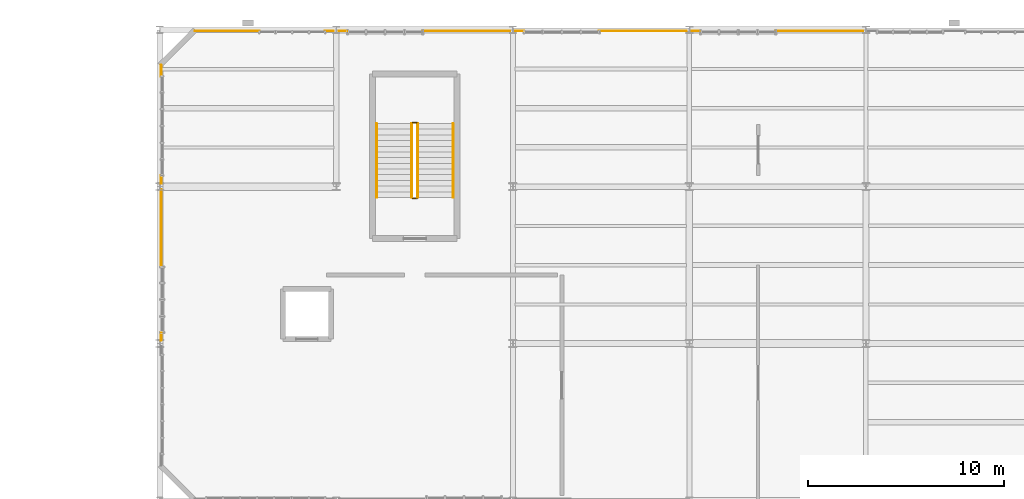
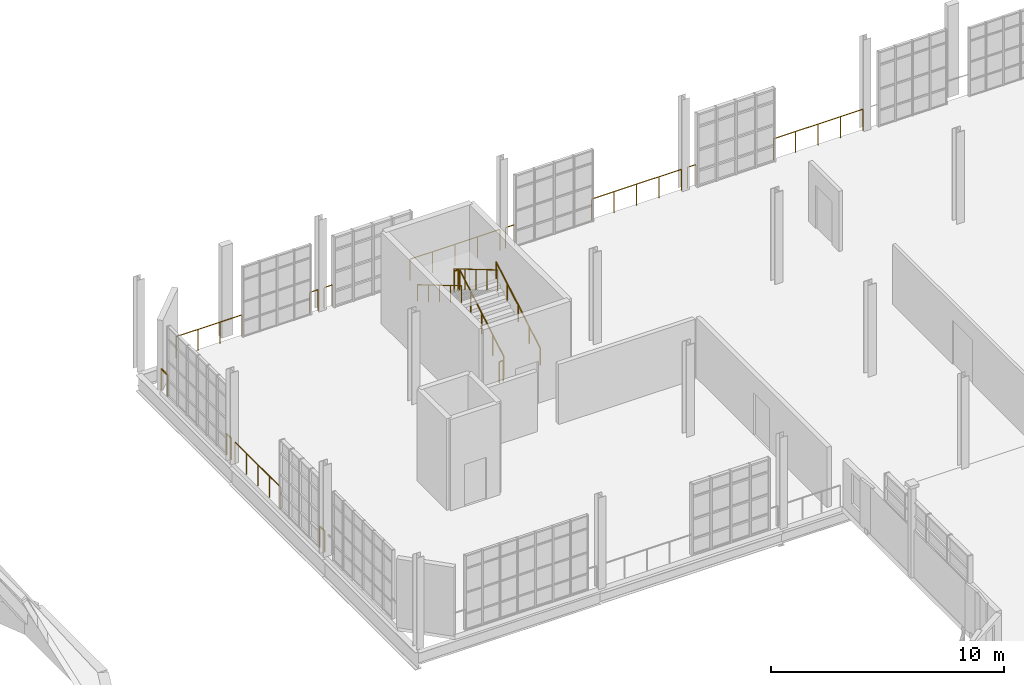
# One storey, part 117 of 118: 18 railings.
"""IFC4 building model written with IfcOpenShell, lengths in metres."""

from ifc_helpers import new_model, si_unit, direction, frame, origin, origin_2d, place, context, subcontext, project, spatial, circle, extrude, material, type_object, element, save


model = new_model("IFC4")

# Units and contexts
model_context = context("Model", 3, precision=1e-05, world=origin(), true_north=direction((0.0, 1.0)))
body_context = subcontext(model_context, "Body", "Model", "MODEL_VIEW")
ifc_project = project(units=[si_unit("LENGTHUNIT", "METRE"), si_unit("AREAUNIT", "SQUARE_METRE"), si_unit("VOLUMEUNIT", "CUBIC_METRE"), si_unit("PLANEANGLEUNIT", "RADIAN"), si_unit("MASSUNIT", "GRAM", prefix="KILO"), si_unit("THERMODYNAMICTEMPERATUREUNIT", "KELVIN"), si_unit("POWERUNIT", "WATT")], contexts=[model_context])

# Site, building, storey
site_placement = place(None, origin())
site = spatial("IfcSite", under=ifc_project, at=site_placement, CompositionType="ELEMENT")
building_placement = place(site_placement, origin())
building = spatial("IfcBuilding", under=site, at=building_placement, Name="Zelmaris Science Centre", CompositionType="ELEMENT")
storey_placement = place(building_placement, frame((0.0, 0.0, 15.60009765625)))
storey = spatial("IfcBuildingStorey", under=building, at=storey_placement, Name="L03", CompositionType="ELEMENT", Elevation=15.60009765625)

# Railings
ifc_material = material(Name="Architectural bronze alloy C28000")
railing_type_1 = type_object("IfcRailingType", Name="Balustrade GD-01 H1120", PredefinedType="BALUSTRADE", material=ifc_material)
railing_1_placement = place(storey_placement, frame((54.06005859375, 72.1630859375, 0.0)))
element("IfcRailing", 1, at=railing_1_placement, inside=storey, type_object=railing_type_1, Name="L03 Perimeter safety balustrade 219", PredefinedType="BALUSTRADE", context=body_context, shape_type="SweptSolid", body=[
    extrude(circle(Radius=0.02392578125, at=origin_2d()), frame((0.0, 0.0, 1.09619140625), z_axis=(0.0, 1.0, 0.0), x_axis=(-1.0, 0.0, 0.0)), (0.0, 0.0, 1.0), 0.406982421875),
    extrude(circle(Radius=0.02099609375, at=origin_2d()), origin(), (0.0, 0.0, 1.0), 1.072021484375),
    extrude(circle(Radius=0.02099609375, at=origin_2d()), frame((0.0, 0.406982421875, 0.0)), (0.0, 0.0, 1.0), 1.072021484375),
])
railing_2_placement = place(storey_placement, frame((54.06005859375, 75.909912109375, 0.0)))
element("IfcRailing", 2, at=railing_2_placement, inside=storey, type_object=railing_type_1, Name="L03 Perimeter safety balustrade 220", PredefinedType="BALUSTRADE", context=body_context, shape_type="SweptSolid", body=[
    extrude(circle(Radius=0.02392578125, at=origin_2d()), frame((0.0, 0.0, 1.09619140625), z_axis=(0.0, 1.0, 0.0), x_axis=(-1.0, 0.0, 0.0)), (0.0, 0.0, 1.0), 3.927001953125),
    extrude(circle(Radius=0.02099609375, at=origin_2d()), origin(), (0.0, 0.0, 1.0), 1.072021484375),
    extrude(circle(Radius=0.02099609375, at=origin_2d()), frame((0.0, 0.981689453125, 0.0)), (0.0, 0.0, 1.0), 1.072021484375),
    extrude(circle(Radius=0.02099609375, at=origin_2d()), frame((0.0, 1.96337890625, 0.0)), (0.0, 0.0, 1.0), 1.072021484375),
    extrude(circle(Radius=0.02099609375, at=origin_2d()), frame((0.0, 2.9453125, 0.0)), (0.0, 0.0, 1.0), 1.072021484375),
    extrude(circle(Radius=0.02099609375, at=origin_2d()), frame((0.0, 3.927001953125, 0.0)), (0.0, 0.0, 1.0), 1.072021484375),
])
railing_3_placement = place(storey_placement, frame((54.06005859375, 80.1630859375, 0.0)))
element("IfcRailing", 3, at=railing_3_placement, inside=storey, type_object=railing_type_1, Name="L03 Perimeter safety balustrade 221", PredefinedType="BALUSTRADE", context=body_context, shape_type="SweptSolid", body=[
    extrude(circle(Radius=0.02392578125, at=origin_2d()), frame((0.0, 0.0, 1.09619140625), z_axis=(0.0, 1.0, 0.0), x_axis=(-1.0, 0.0, 0.0)), (0.0, 0.0, 1.0), 0.406982421875),
    extrude(circle(Radius=0.02099609375, at=origin_2d()), origin(), (0.0, 0.0, 1.0), 1.072021484375),
    extrude(circle(Radius=0.02099609375, at=origin_2d()), frame((0.0, 0.406982421875, 0.0)), (0.0, 0.0, 1.0), 1.072021484375),
])
railing_4_placement = place(storey_placement, frame((54.06005859375, 85.6298828125, 0.0)))
element("IfcRailing", 4, at=railing_4_placement, inside=storey, type_object=railing_type_1, Name="L03 Perimeter safety balustrade 222", PredefinedType="BALUSTRADE", context=body_context, shape_type="SweptSolid", body=[
    extrude(circle(Radius=0.02392578125, at=origin_2d()), frame((0.0, 0.0, 1.09619140625), z_axis=(0.0, 1.0, 0.0), x_axis=(-1.0, 0.0, 0.0)), (0.0, 0.0, 1.0), 0.570068359375),
    extrude(circle(Radius=0.02099609375, at=origin_2d()), origin(), (0.0, 0.0, 1.0), 1.072021484375),
    extrude(circle(Radius=0.02099609375, at=origin_2d()), frame((0.0, 0.570068359375, 0.0)), (0.0, 0.0, 1.0), 1.072021484375),
])
railing_5_placement = place(storey_placement, frame((55.800048828125, 87.93994140625, 0.0)))
element("IfcRailing", 5, at=railing_5_placement, inside=storey, type_object=railing_type_1, Name="L03 Perimeter safety balustrade 223", PredefinedType="BALUSTRADE", context=body_context, shape_type="SweptSolid", body=[
    extrude(circle(Radius=0.02392578125, at=origin_2d()), frame((0.0, 0.0, 1.09619140625), z_axis=(1.0, 0.0, 0.0), x_axis=(0.0, 1.0, 0.0)), (0.0, 0.0, 1.0), 3.27001953125),
    extrude(circle(Radius=0.02099609375, at=origin_2d()), origin(), (0.0, 0.0, 1.0), 1.072021484375),
    extrude(circle(Radius=0.02099609375, at=origin_2d()), frame((1.090087890625, 0.0, 0.0)), (0.0, 0.0, 1.0), 1.072021484375),
    extrude(circle(Radius=0.02099609375, at=origin_2d()), frame((2.179931640625, 0.0, 0.0)), (0.0, 0.0, 1.0), 1.072021484375),
    extrude(circle(Radius=0.02099609375, at=origin_2d()), frame((3.27001953125, 0.0, 0.0)), (0.0, 0.0, 1.0), 1.072021484375),
])
for number, where, name in (
    (6, (62.429931640625, 87.93994140625, 0.0), "L03 Perimeter safety balustrade 224"),
    (7, (63.14794921875, 87.93994140625, 0.0), "L03 Perimeter safety balustrade 225"),
):
    element("IfcRailing", number, at=place(storey_placement, frame(where)), inside=storey, type_object=railing_type_1, Name=name, PredefinedType="BALUSTRADE", context=body_context, shape_type="SweptSolid", body=[
        extrude(circle(Radius=0.02392578125, at=origin_2d()), frame((0.0, 0.0, 1.09619140625), z_axis=(1.0, 0.0, 0.0), x_axis=(0.0, 1.0, 0.0)), (0.0, 0.0, 1.0), 0.422119140625),
        extrude(circle(Radius=0.02099609375, at=origin_2d()), origin(), (0.0, 0.0, 1.0), 1.072021484375),
        extrude(circle(Radius=0.02099609375, at=origin_2d()), frame((0.422119140625, 0.0, 0.0)), (0.0, 0.0, 1.0), 1.072021484375),
    ])
railing_6_placement = place(storey_placement, frame((67.409912109375, 87.93994140625, 0.0)))
element("IfcRailing", 8, at=railing_6_placement, inside=storey, type_object=railing_type_1, Name="L03 Perimeter safety balustrade 226", PredefinedType="BALUSTRADE", context=body_context, shape_type="SweptSolid", body=[
    extrude(circle(Radius=0.02392578125, at=origin_2d()), frame((0.0, 0.0, 1.09619140625), z_axis=(1.0, 0.0, 0.0), x_axis=(0.0, 1.0, 0.0)), (0.0, 0.0, 1.0), 4.442138671875),
    extrude(circle(Radius=0.02099609375, at=origin_2d()), origin(), (0.0, 0.0, 1.0), 1.072021484375),
    extrude(circle(Radius=0.02099609375, at=origin_2d()), frame((1.110595703125, 0.0, 0.0)), (0.0, 0.0, 1.0), 1.072021484375),
    extrude(circle(Radius=0.02099609375, at=origin_2d()), frame((2.22119140625, 0.0, 0.0)), (0.0, 0.0, 1.0), 1.072021484375),
    extrude(circle(Radius=0.02099609375, at=origin_2d()), frame((3.33154296875, 0.0, 0.0)), (0.0, 0.0, 1.0), 1.072021484375),
    extrude(circle(Radius=0.02099609375, at=origin_2d()), frame((4.442138671875, 0.0, 0.0)), (0.0, 0.0, 1.0), 1.072021484375),
])
railing_7_placement = place(storey_placement, frame((72.14794921875, 87.93994140625, 0.0)))
element("IfcRailing", 9, at=railing_7_placement, inside=storey, type_object=railing_type_1, Name="L03 Perimeter safety balustrade 227", PredefinedType="BALUSTRADE", context=body_context, shape_type="SweptSolid", body=[
    extrude(circle(Radius=0.02392578125, at=origin_2d()), frame((0.0, 0.0, 1.09619140625), z_axis=(1.0, 0.0, 0.0), x_axis=(0.0, 1.0, 0.0)), (0.0, 0.0, 1.0), 0.422119140625),
    extrude(circle(Radius=0.02099609375, at=origin_2d()), origin(), (0.0, 0.0, 1.0), 1.072021484375),
    extrude(circle(Radius=0.02099609375, at=origin_2d()), frame((0.422119140625, 0.0, 0.0)), (0.0, 0.0, 1.0), 1.072021484375),
])
railing_8_placement = place(storey_placement, frame((76.409912109375, 87.93994140625, 0.0)))
element("IfcRailing", 10, at=railing_8_placement, inside=storey, type_object=railing_type_1, Name="L03 Perimeter safety balustrade 228", PredefinedType="BALUSTRADE", context=body_context, shape_type="SweptSolid", body=[
    extrude(circle(Radius=0.02392578125, at=origin_2d()), frame((0.0, 0.0, 1.09619140625), z_axis=(1.0, 0.0, 0.0), x_axis=(0.0, 1.0, 0.0)), (0.0, 0.0, 1.0), 4.442138671875),
    extrude(circle(Radius=0.02099609375, at=origin_2d()), origin(), (0.0, 0.0, 1.0), 1.072021484375),
    extrude(circle(Radius=0.02099609375, at=origin_2d()), frame((1.110595703125, 0.0, 0.0)), (0.0, 0.0, 1.0), 1.072021484375),
    extrude(circle(Radius=0.02099609375, at=origin_2d()), frame((2.22119140625, 0.0, 0.0)), (0.0, 0.0, 1.0), 1.072021484375),
    extrude(circle(Radius=0.02099609375, at=origin_2d()), frame((3.33154296875, 0.0, 0.0)), (0.0, 0.0, 1.0), 1.072021484375),
    extrude(circle(Radius=0.02099609375, at=origin_2d()), frame((4.442138671875, 0.0, 0.0)), (0.0, 0.0, 1.0), 1.072021484375),
])
railing_9_placement = place(storey_placement, frame((81.14794921875, 87.93994140625, 0.0)))
element("IfcRailing", 11, at=railing_9_placement, inside=storey, type_object=railing_type_1, Name="L03 Perimeter safety balustrade 229", PredefinedType="BALUSTRADE", context=body_context, shape_type="SweptSolid", body=[
    extrude(circle(Radius=0.02392578125, at=origin_2d()), frame((0.0, 0.0, 1.09619140625), z_axis=(1.0, 0.0, 0.0), x_axis=(0.0, 1.0, 0.0)), (0.0, 0.0, 1.0), 0.422119140625),
    extrude(circle(Radius=0.02099609375, at=origin_2d()), origin(), (0.0, 0.0, 1.0), 1.072021484375),
    extrude(circle(Radius=0.02099609375, at=origin_2d()), frame((0.422119140625, 0.0, 0.0)), (0.0, 0.0, 1.0), 1.072021484375),
])
railing_10_placement = place(storey_placement, frame((85.409912109375, 87.93994140625, 0.0)))
element("IfcRailing", 12, at=railing_10_placement, inside=storey, type_object=railing_type_1, Name="L03 Perimeter safety balustrade 230", PredefinedType="BALUSTRADE", context=body_context, shape_type="SweptSolid", body=[
    extrude(circle(Radius=0.02392578125, at=origin_2d()), frame((0.0, 0.0, 1.09619140625), z_axis=(1.0, 0.0, 0.0), x_axis=(0.0, 1.0, 0.0)), (0.0, 0.0, 1.0), 4.442138671875),
    extrude(circle(Radius=0.02099609375, at=origin_2d()), origin(), (0.0, 0.0, 1.0), 1.072021484375),
    extrude(circle(Radius=0.02099609375, at=origin_2d()), frame((1.110595703125, 0.0, 0.0)), (0.0, 0.0, 1.0), 1.072021484375),
    extrude(circle(Radius=0.02099609375, at=origin_2d()), frame((2.22119140625, 0.0, 0.0)), (0.0, 0.0, 1.0), 1.072021484375),
    extrude(circle(Radius=0.02099609375, at=origin_2d()), frame((3.33154296875, 0.0, 0.0)), (0.0, 0.0, 1.0), 1.072021484375),
    extrude(circle(Radius=0.02099609375, at=origin_2d()), frame((4.442138671875, 0.0, 0.0)), (0.0, 0.0, 1.0), 1.072021484375),
])
railing_11_placement = place(storey_placement, frame((67.14990234375, 79.449951171875, 0.17138671875)))
element("IfcRailing", 13, at=railing_11_placement, inside=storey, type_object=railing_type_1, Name="L03 ST-3 stair guard 1", PredefinedType="BALUSTRADE", context=body_context, shape_type="SweptSolid", body=[
    extrude(circle(Radius=0.02392578125, at=origin_2d()), frame((0.0, 0.0, 1.076171875), z_axis=(0.0, 0.860848830602, 0.508860777473), x_axis=(-1.0, 0.0, 0.0)), (0.0, 0.0, 1.0), 4.37939453125),
    extrude(circle(Radius=0.02099609375, at=origin_2d()), origin(), (0.0, 0.0, 1.0), 1.052001953125),
    extrude(circle(Radius=0.02099609375, at=origin_2d()), frame((0.0, 0.9423828125, 0.55712890625)), (0.0, 0.0, 1.0), 1.052001953125),
    extrude(circle(Radius=0.02099609375, at=origin_2d()), frame((0.0, 1.885009765625, 1.1142578125)), (0.0, 0.0, 1.0), 1.052001953125),
    extrude(circle(Radius=0.02099609375, at=origin_2d()), frame((0.0, 2.82763671875, 1.67138671875)), (0.0, 0.0, 1.0), 1.052001953125),
    extrude(circle(Radius=0.02099609375, at=origin_2d()), frame((0.0, 3.77001953125, 2.228515625)), (0.0, 0.0, 1.0), 1.052001953125),
])
railing_12_placement = place(storey_placement, frame((67.10009765625, 83.27001953125, 2.39990234375)))
element("IfcRailing", 14, at=railing_12_placement, inside=storey, type_object=railing_type_1, Name="L03 ST-3 stair guard 2", PredefinedType="BALUSTRADE", context=body_context, shape_type="SweptSolid", body=[
    extrude(circle(Radius=0.02392578125, at=origin_2d()), frame((0.0, 0.0, 1.076171875), z_axis=(-1.0, 0.0, 0.0), x_axis=(0.0, -1.0, 0.0)), (0.0, 0.0, 1.0), 0.2001953125),
    extrude(circle(Radius=0.02099609375, at=origin_2d()), origin(), (0.0, 0.0, 1.0), 1.052001953125),
    extrude(circle(Radius=0.02099609375, at=origin_2d()), frame((-0.2001953125, 0.0, 0.0)), (0.0, 0.0, 1.0), 1.052001953125),
])
railing_13_placement = place(storey_placement, frame((66.85009765625, 83.219970703125, 2.5712890625)))
element("IfcRailing", 15, at=railing_13_placement, inside=storey, type_object=railing_type_1, Name="L03 ST-3 stair guard 3", PredefinedType="BALUSTRADE", context=body_context, shape_type="SweptSolid", body=[
    extrude(circle(Radius=0.02392578125, at=origin_2d()), frame((0.0, 0.0, 1.076171875), z_axis=(0.0, -0.860848830602, 0.508860777473), x_axis=(1.0, 0.0, 0.0)), (0.0, 0.0, 1.0), 4.37939453125),
    extrude(circle(Radius=0.02099609375, at=origin_2d()), origin(), (0.0, 0.0, 1.0), 1.052001953125),
    extrude(circle(Radius=0.02099609375, at=origin_2d()), frame((0.0, -0.9423828125, 0.55712890625)), (0.0, 0.0, 1.0), 1.052001953125),
    extrude(circle(Radius=0.02099609375, at=origin_2d()), frame((0.0, -1.885009765625, 1.1142578125)), (0.0, 0.0, 1.0), 1.052001953125),
    extrude(circle(Radius=0.02099609375, at=origin_2d()), frame((0.0, -2.82763671875, 1.67138671875)), (0.0, 0.0, 1.0), 1.052001953125),
    extrude(circle(Radius=0.02099609375, at=origin_2d()), frame((0.0, -3.77001953125, 2.228515625)), (0.0, 0.0, 1.0), 1.052001953125),
])
railing_14_placement = place(storey_placement, frame((67.10009765625, 79.39990234375, 0.0)))
element("IfcRailing", 16, at=railing_14_placement, inside=storey, type_object=railing_type_1, Name="L03 ST-3 stair guard 4", PredefinedType="BALUSTRADE", context=body_context, shape_type="SweptSolid", body=[
    extrude(circle(Radius=0.02392578125, at=origin_2d()), frame((0.0, 0.0, 1.076171875), z_axis=(-1.0, 0.0, 0.0), x_axis=(0.0, -1.0, 0.0)), (0.0, 0.0, 1.0), 0.2001953125),
    extrude(circle(Radius=0.02099609375, at=origin_2d()), origin(), (0.0, 0.0, 1.0), 1.052001953125),
    extrude(circle(Radius=0.02099609375, at=origin_2d()), frame((-0.2001953125, 0.0, 0.0)), (0.0, 0.0, 1.0), 1.052001953125),
])
railing_type_2 = type_object("IfcRailingType", Name="Handrail HR-01 H900", PredefinedType="HANDRAIL", material=ifc_material)
railing_15_placement = place(storey_placement, frame((68.949951171875, 79.449951171875, 0.17138671875)))
element("IfcRailing", 17, at=railing_15_placement, inside=storey, type_object=railing_type_2, Name="L03 ST-3 stair handrail 1", PredefinedType="HANDRAIL", context=body_context, shape_type="SweptSolid", body=[
    extrude(circle(Radius=0.02392578125, at=origin_2d()), frame((0.0, 0.0, 0.8759765625), z_axis=(0.0, 0.860848830602, 0.508860777473), x_axis=(-1.0, 0.0, 0.0)), (0.0, 0.0, 1.0), 4.37939453125),
    extrude(circle(Radius=0.02099609375, at=origin_2d()), origin(), (0.0, 0.0, 1.0), 0.851806640625),
    extrude(circle(Radius=0.02099609375, at=origin_2d()), frame((0.0, 0.9423828125, 0.55712890625)), (0.0, 0.0, 1.0), 0.851806640625),
    extrude(circle(Radius=0.02099609375, at=origin_2d()), frame((0.0, 1.885009765625, 1.1142578125)), (0.0, 0.0, 1.0), 0.851806640625),
    extrude(circle(Radius=0.02099609375, at=origin_2d()), frame((0.0, 2.82763671875, 1.67138671875)), (0.0, 0.0, 1.0), 0.851806640625),
    extrude(circle(Radius=0.02099609375, at=origin_2d()), frame((0.0, 3.77001953125, 2.228515625)), (0.0, 0.0, 1.0), 0.851806640625),
])
railing_16_placement = place(storey_placement, frame((65.050048828125, 83.219970703125, 2.5712890625)))
element("IfcRailing", 18, at=railing_16_placement, inside=storey, type_object=railing_type_2, Name="L03 ST-3 stair handrail 2", PredefinedType="HANDRAIL", context=body_context, shape_type="SweptSolid", body=[
    extrude(circle(Radius=0.02392578125, at=origin_2d()), frame((0.0, 0.0, 0.8759765625), z_axis=(0.0, -0.860848830602, 0.508860777473), x_axis=(1.0, 0.0, 0.0)), (0.0, 0.0, 1.0), 4.37939453125),
    extrude(circle(Radius=0.02099609375, at=origin_2d()), origin(), (0.0, 0.0, 1.0), 0.851806640625),
    extrude(circle(Radius=0.02099609375, at=origin_2d()), frame((0.0, -0.9423828125, 0.55712890625)), (0.0, 0.0, 1.0), 0.851806640625),
    extrude(circle(Radius=0.02099609375, at=origin_2d()), frame((0.0, -1.885009765625, 1.1142578125)), (0.0, 0.0, 1.0), 0.851806640625),
    extrude(circle(Radius=0.02099609375, at=origin_2d()), frame((0.0, -2.82763671875, 1.67138671875)), (0.0, 0.0, 1.0), 0.851806640625),
    extrude(circle(Radius=0.02099609375, at=origin_2d()), frame((0.0, -3.77001953125, 2.228515625)), (0.0, 0.0, 1.0), 0.851806640625),
])

save(model, "model.ifc")
